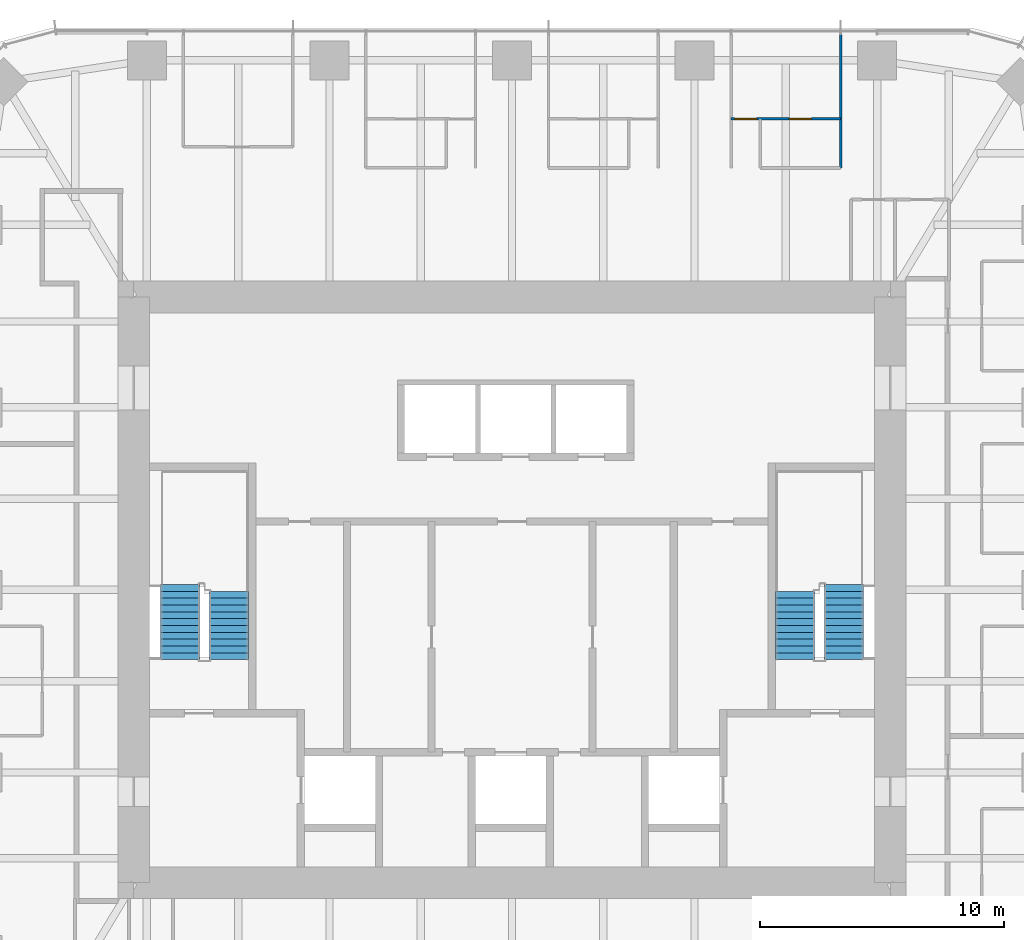
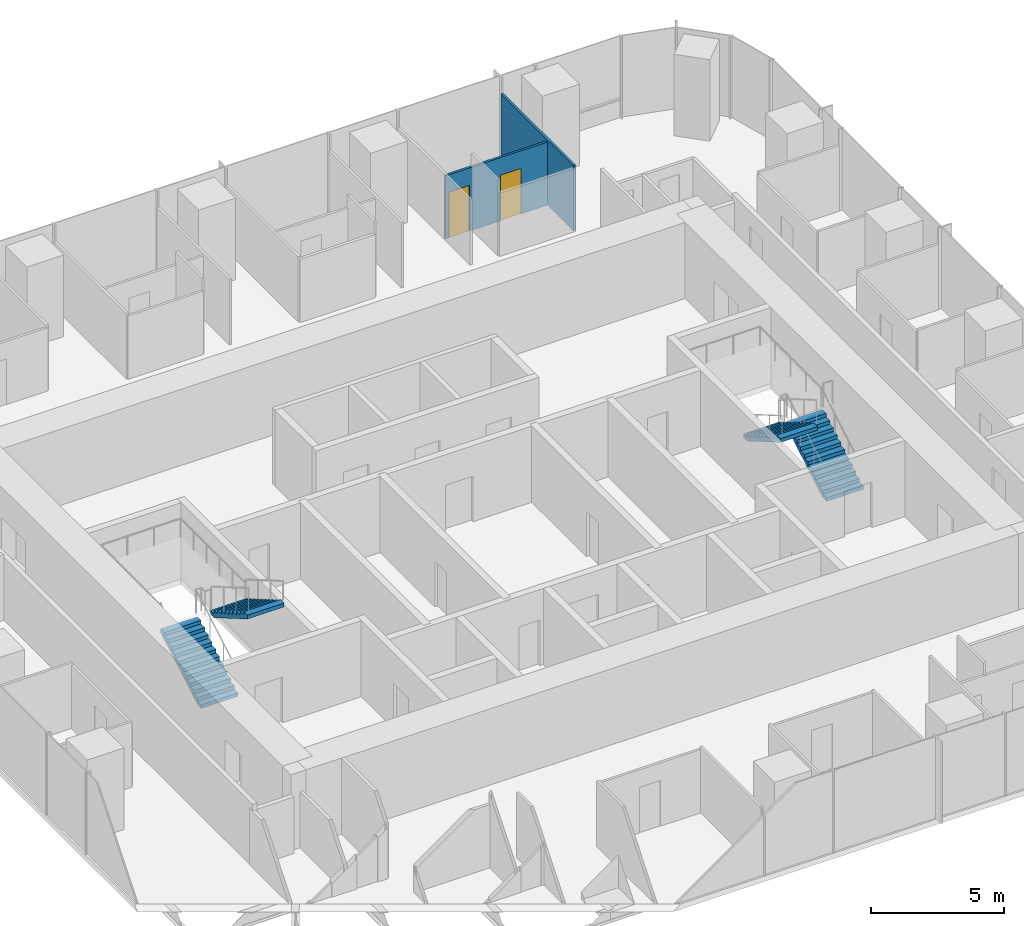
# One storey, part 11 of 12: 4 stair flights, 2 doors, 2 walls, 2 openings, 2 elements without a shape of their own.
"""IFC4 building model written with IfcOpenShell, lengths in metres."""

from ifc_helpers import new_model, si_unit, direction, frame, frame_2d, origin, place, context, subcontext, project, spatial, polyline, rectangle, outline, extrude, material, layer, layer_set, type_object, element, fill, aggregate, save


model = new_model("IFC4")

# Units and contexts
model_context = context("Model", 3, precision=1e-05, world=origin(), true_north=direction((0.0, 1.0)))
body_context = subcontext(model_context, "Body", "Model", "MODEL_VIEW")
ifc_project = project(units=[si_unit("LENGTHUNIT", "METRE"), si_unit("AREAUNIT", "SQUARE_METRE"), si_unit("VOLUMEUNIT", "CUBIC_METRE"), si_unit("PLANEANGLEUNIT", "RADIAN"), si_unit("MASSUNIT", "GRAM", prefix="KILO")], contexts=[model_context])

# Site, building, storey
site_placement = place(None, origin())
site = spatial("IfcSite", under=ifc_project, at=site_placement, CompositionType="ELEMENT")
building_placement = place(site_placement, origin())
building = spatial("IfcBuilding", under=site, at=building_placement, Name="Khuree Lantern Residences", CompositionType="ELEMENT")
storey_placement = place(building_placement, frame((0.0, 0.0, 342.0)))
storey = spatial("IfcBuildingStorey", under=building, at=storey_placement, Name="L86", CompositionType="ELEMENT", Elevation=342.0)

# Wall
ifc_material_1 = material(Name="Gypsum board on steel studs", Category="steel")
ifc_layer = layer(ifc_material_1, 0.10009765625)
ifc_layer_set = layer_set([ifc_layer], Name="PARTITION PT100")
wall_type = type_object("IfcWallType", Name="PARTITION PT100", PredefinedType="PARTITIONING", material=ifc_layer_set)
wall_1_placement = place(storey_placement, frame((13.464111328125, 17.29638671875, 0.0), z_axis=(0.0, 0.0, 1.0), x_axis=(0.0, 1.0, 0.0)))
element("IfcWall", 1, at=wall_1_placement, inside=storey, type_object=wall_type, Name="L86 PARTITION 01", PredefinedType="PARTITIONING", context=body_context, shape_type="SweptSolid", body=[
    extrude(rectangle(XDim=5.45361328125, YDim=0.10009765625, at=frame_2d((2.726806640625, 0.0))), origin(), (0.0, 0.0, 1.0), 3.010009765625),
])

# Wall, openings, doors
wall_2_placement = place(storey_placement, frame((13.464111328125, 19.29638671875, 0.0), z_axis=(0.0, 0.0, 1.0), x_axis=(-1.0, 0.0, 0.0)))
wall_2 = element("IfcWall", 2, at=wall_2_placement, inside=storey, type_object=wall_type, Name="L86 PARTITION 01", PredefinedType="PARTITIONING", context=body_context, shape_type="SweptSolid", body=[
    extrude(rectangle(XDim=4.488037109375, YDim=0.10009765625, at=frame_2d((2.244140625, 0.0))), origin(), (0.0, 0.0, 1.0), 2.909912109375),
])
opening_1_placement = place(wall_2_placement, frame((3.43798828125, 0.0, 0.0)))
opening_1 = element("IfcOpeningElement", 3, at=opening_1_placement, cuts=wall_2, Name="Opening 86-023", PredefinedType="OPENING", context=body_context, shape_type="SweptSolid", body=[
    extrude(rectangle(XDim=0.89990234375, YDim=2.10009765625, at=frame_2d((0.449951171875, 1.050048828125))), frame((0.0, 0.06005859375, 0.0), z_axis=(0.0, -1.0, 0.0), x_axis=(1.0, 0.0, 0.0)), (0.0, 0.0, 1.0), 0.1201171875),
])
opening_2_placement = place(wall_2_placement, frame((1.194091796875, 0.0, 0.0)))
opening_2 = element("IfcOpeningElement", 4, at=opening_2_placement, cuts=wall_2, Name="Opening 86-024", PredefinedType="OPENING", context=body_context, shape_type="SweptSolid", body=[
    extrude(rectangle(XDim=0.89990234375, YDim=2.10009765625, at=frame_2d((0.449951171875, 1.050048828125))), frame((0.0, 0.06005859375, 0.0), z_axis=(0.0, -1.0, 0.0), x_axis=(1.0, 0.0, 0.0)), (0.0, 0.0, 1.0), 0.1201171875),
])
ifc_material_2 = material(Name="Timber door leaf in hardwood frame", Category="wood")
door_type_1 = type_object("IfcDoorType", Name="BATHROOM DOOR 900X2100", OperationType="SINGLE_SWING_LEFT", PredefinedType="DOOR", material=ifc_material_2)
door_1_placement = place(opening_2_placement, origin())
door_1 = element("IfcDoor", 5, at=door_1_placement, inside=storey, type_object=door_type_1, Name="Bathroom door 86-024", OperationType="SINGLE_SWING_LEFT", OverallHeight=2.10009765625, OverallWidth=0.89990234375, PredefinedType="DOOR", context=body_context, shape_type="SweptSolid", body=[
    extrude(rectangle(XDim=0.89990234375, YDim=2.10009765625, at=frame_2d((0.449951171875, 1.050048828125))), frame((0.0, 0.02490234375, 0.0), z_axis=(0.0, -1.0, 0.0), x_axis=(1.0, 0.0, 0.0)), (0.0, 0.0, 1.0), 0.050048828125),
])
fill(opening_2, door_1)
door_type_2 = type_object("IfcDoorType", Name="BEDROOM DOOR 900X2100", OperationType="SINGLE_SWING_LEFT", PredefinedType="DOOR", material=ifc_material_2)
door_2_placement = place(opening_1_placement, origin())
door_2 = element("IfcDoor", 6, at=door_2_placement, inside=storey, type_object=door_type_2, Name="Bedroom door 86-023", OperationType="SINGLE_SWING_LEFT", OverallHeight=2.10009765625, OverallWidth=0.89990234375, PredefinedType="DOOR", context=body_context, shape_type="SweptSolid", body=[
    extrude(rectangle(XDim=0.89990234375, YDim=2.10009765625, at=frame_2d((0.449951171875, 1.050048828125))), frame((0.0, 0.02490234375, 0.0), z_axis=(0.0, -1.0, 0.0), x_axis=(1.0, 0.0, 0.0)), (0.0, 0.0, 1.0), 0.050048828125),
])
fill(opening_1, door_2)

# Stair, stair flights
ifc_material_3 = material(Name="Concrete C40/50", Category="concrete")
stair_type = type_object("IfcStairType", Name="STAIR ST1 HALF TURN 3600", PredefinedType="HALF_TURN_STAIR", material=ifc_material_3)
stair_1_placement = place(storey_placement, origin())
stair_1 = element("IfcStair", 7, at=stair_1_placement, inside=storey, type_object=stair_type, Name="Stair ST1", PredefinedType="HALF_TURN_STAIR")
stair_flight_type = type_object("IfcStairFlightType", Name="STAIR FLIGHT SF1 1600", PredefinedType="STRAIGHT", material=ifc_material_3)
stair_flight_1_placement = place(storey_placement, frame((-13.60009765625, -2.860107421875, 0.0), z_axis=(0.0, 0.0, 1.0), x_axis=(0.0, 1.0, 0.0)))
stair_flight_1 = element("IfcStairFlight", 8, at=stair_flight_1_placement, type_object=stair_flight_type, Name="ST1 flight 1", NumberOfRisers=12, NumberOfTreads=11, PredefinedType="STRAIGHT", RiserHeight=0.163043478, TreadLength=0.28, context=body_context, shape_type="SweptSolid", body=[
    extrude(outline(polyline([(0.0, 0.0), (0.0, 0.1630859375), (0.280029296875, 0.1630859375), (0.280029296875, 0.326171875), (0.56005859375, 0.326171875), (0.56005859375, 0.489013671875), (0.840087890625, 0.489013671875), (0.840087890625, 0.652099609375), (1.1201171875, 0.652099609375), (1.1201171875, 0.815185546875), (1.39990234375, 0.815185546875), (1.39990234375, 0.978271484375), (1.679931640625, 0.978271484375), (1.679931640625, 1.141357421875), (1.9599609375, 1.141357421875), (1.9599609375, 1.304443359375), (2.239990234375, 1.304443359375), (2.239990234375, 1.46728515625), (2.52001953125, 1.46728515625), (2.52001953125, 1.63037109375), (2.800048828125, 1.63037109375), (2.800048828125, 1.79345703125), (3.080078125, 1.79345703125), (3.080078125, 1.95654296875), (3.080078125, 1.6201171875), (0.2978515625, 0.0), (0.0, 0.0)])), frame((0.0, 0.800048828125, 0.0), z_axis=(0.0, -1.0, 0.0), x_axis=(1.0, 0.0, 0.0)), (0.0, 0.0, 1.0), 1.60009765625),
])
stair_flight_2_placement = place(storey_placement, frame((-11.60009765625, -0.06005859375, 1.95654296875), z_axis=(0.0, 0.0, 1.0), x_axis=(0.0, -1.0, 0.0)))
stair_flight_2 = element("IfcStairFlight", 9, at=stair_flight_2_placement, type_object=stair_flight_type, Name="ST1 flight 2", NumberOfRisers=11, NumberOfTreads=10, PredefinedType="STRAIGHT", RiserHeight=0.163043478, TreadLength=0.28, context=body_context, shape_type="SweptSolid", body=[
    extrude(outline(polyline([(0.0, 0.0), (0.0, 0.1630859375), (0.280029296875, 0.1630859375), (0.280029296875, 0.326171875), (0.56005859375, 0.326171875), (0.56005859375, 0.489013671875), (0.840087890625, 0.489013671875), (0.840087890625, 0.652099609375), (1.1201171875, 0.652099609375), (1.1201171875, 0.815185546875), (1.39990234375, 0.815185546875), (1.39990234375, 0.978271484375), (1.679931640625, 0.978271484375), (1.679931640625, 1.141357421875), (1.9599609375, 1.141357421875), (1.9599609375, 1.304443359375), (2.239990234375, 1.304443359375), (2.239990234375, 1.46728515625), (2.52001953125, 1.46728515625), (2.52001953125, 1.63037109375), (2.800048828125, 1.63037109375), (2.800048828125, 1.79345703125), (2.800048828125, 1.45703125), (0.2978515625, 0.0), (0.0, 0.0)])), frame((0.0, 0.800048828125, 0.0), z_axis=(0.0, -1.0, 0.0), x_axis=(1.0, 0.0, 0.0)), (0.0, 0.0, 1.0), 1.60009765625),
])
aggregate(stair_1, [stair_flight_1, stair_flight_2])

stair_2_placement = place(storey_placement, origin())
stair_2 = element("IfcStair", 10, at=stair_2_placement, inside=storey, type_object=stair_type, Name="Stair ST2", PredefinedType="HALF_TURN_STAIR")
stair_flight_3_placement = place(storey_placement, frame((13.60009765625, -2.860107421875, 0.0), z_axis=(0.0, 0.0, 1.0), x_axis=(0.0, 1.0, 0.0)))
stair_flight_3 = element("IfcStairFlight", 11, at=stair_flight_3_placement, type_object=stair_flight_type, Name="ST2 flight 1", NumberOfRisers=12, NumberOfTreads=11, PredefinedType="STRAIGHT", RiserHeight=0.163043478, TreadLength=0.28, context=body_context, shape_type="SweptSolid", body=[
    extrude(outline(polyline([(0.0, 0.0), (0.0, 0.1630859375), (0.280029296875, 0.1630859375), (0.280029296875, 0.326171875), (0.56005859375, 0.326171875), (0.56005859375, 0.489013671875), (0.840087890625, 0.489013671875), (0.840087890625, 0.652099609375), (1.1201171875, 0.652099609375), (1.1201171875, 0.815185546875), (1.39990234375, 0.815185546875), (1.39990234375, 0.978271484375), (1.679931640625, 0.978271484375), (1.679931640625, 1.141357421875), (1.9599609375, 1.141357421875), (1.9599609375, 1.304443359375), (2.239990234375, 1.304443359375), (2.239990234375, 1.46728515625), (2.52001953125, 1.46728515625), (2.52001953125, 1.63037109375), (2.800048828125, 1.63037109375), (2.800048828125, 1.79345703125), (3.080078125, 1.79345703125), (3.080078125, 1.95654296875), (3.080078125, 1.6201171875), (0.2978515625, 0.0), (0.0, 0.0)])), frame((0.0, 0.800048828125, 0.0), z_axis=(0.0, -1.0, 0.0), x_axis=(1.0, 0.0, 0.0)), (0.0, 0.0, 1.0), 1.60009765625),
])
stair_flight_4_placement = place(storey_placement, frame((11.60009765625, -0.06005859375, 1.95654296875), z_axis=(0.0, 0.0, 1.0), x_axis=(0.0, -1.0, 0.0)))
stair_flight_4 = element("IfcStairFlight", 12, at=stair_flight_4_placement, type_object=stair_flight_type, Name="ST2 flight 2", NumberOfRisers=11, NumberOfTreads=10, PredefinedType="STRAIGHT", RiserHeight=0.163043478, TreadLength=0.28, context=body_context, shape_type="SweptSolid", body=[
    extrude(outline(polyline([(0.0, 0.0), (0.0, 0.1630859375), (0.280029296875, 0.1630859375), (0.280029296875, 0.326171875), (0.56005859375, 0.326171875), (0.56005859375, 0.489013671875), (0.840087890625, 0.489013671875), (0.840087890625, 0.652099609375), (1.1201171875, 0.652099609375), (1.1201171875, 0.815185546875), (1.39990234375, 0.815185546875), (1.39990234375, 0.978271484375), (1.679931640625, 0.978271484375), (1.679931640625, 1.141357421875), (1.9599609375, 1.141357421875), (1.9599609375, 1.304443359375), (2.239990234375, 1.304443359375), (2.239990234375, 1.46728515625), (2.52001953125, 1.46728515625), (2.52001953125, 1.63037109375), (2.800048828125, 1.63037109375), (2.800048828125, 1.79345703125), (2.800048828125, 1.45703125), (0.2978515625, 0.0), (0.0, 0.0)])), frame((0.0, 0.800048828125, 0.0), z_axis=(0.0, -1.0, 0.0), x_axis=(1.0, 0.0, 0.0)), (0.0, 0.0, 1.0), 1.60009765625),
])
aggregate(stair_2, [stair_flight_3, stair_flight_4])

save(model, "model.ifc")
